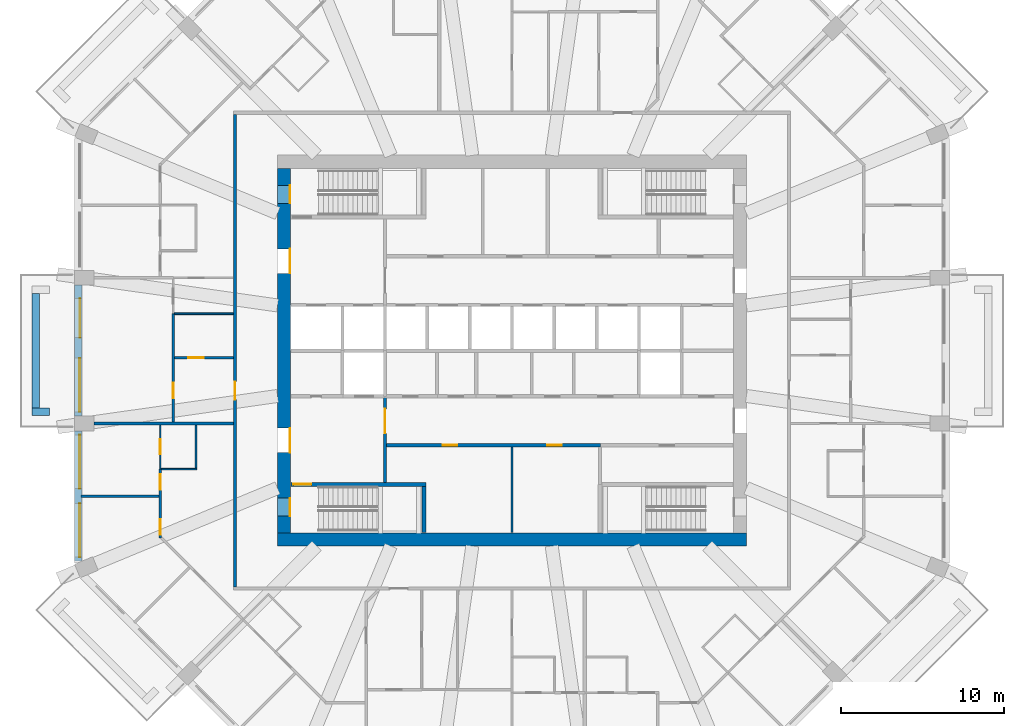
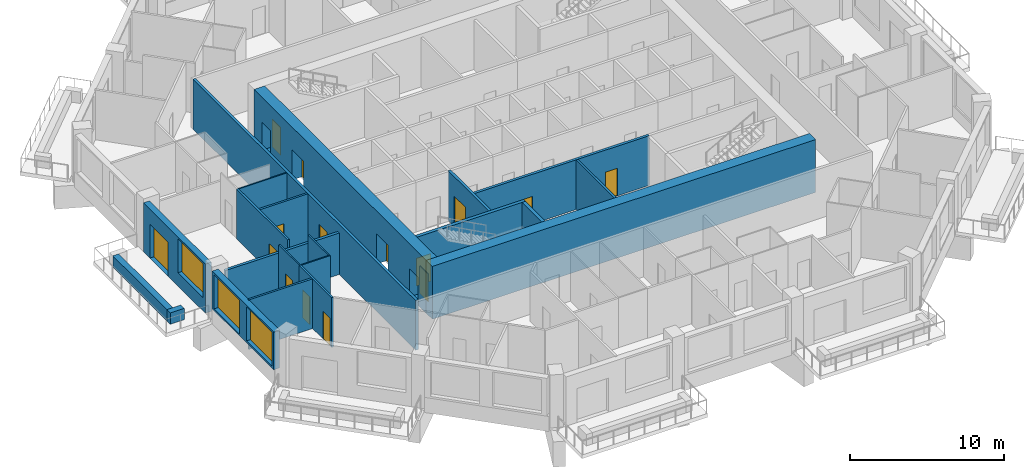
# One storey, part 4 of 13: 21 walls, 15 doors, 3 windows, 18 openings.
"""IFC4 building model written with IfcOpenShell, lengths in metres."""

import ifcopenshell
import ifcopenshell.guid

model = None  # the IFC model being written
_history = None  # IfcOwnerHistory: only IFC2X3 demands one
_inside = {}  # id of a spatial element -> (the spatial element, [elements in it])
_under = {}  # id of a project, library or spatial element -> (it, [spatial elements below it])
_declared = {}  # id of a project -> (the project, [libraries it declares])
_typed = {}  # id of a type object -> (the type object, [elements of that type])
_made_of = {}  # id of a material, layer set ... -> (it, [elements and type objects made of it])


def new_model(schema):
    """Start an empty IFC model of exactly this schema.

    Asked for "IFC4X3", IfcOpenShell would pick the latest addendum, in which some entities
    have other attributes; the version numbers below select the first issue.
    IFC2X3 requires an IfcOwnerHistory on every rooted entity: one is made here for all.
    """
    global model, _history
    if schema == "IFC4X3":
        model = ifcopenshell.file(schema_version=(4, 3, 0, 0))
    else:
        model = ifcopenshell.file(schema=schema)
    _inside.clear()
    _under.clear()
    _declared.clear()
    _typed.clear()
    _made_of.clear()
    _history = None
    if model.schema == "IFC2X3":
        org = make("IfcOrganization", Name="unknown")
        user = make(
            "IfcPersonAndOrganization",
            ThePerson=make("IfcPerson", FamilyName="unknown"),
            TheOrganization=org,
        )
        app = make(
            "IfcApplication",
            ApplicationDeveloper=org,
            Version="unknown",
            ApplicationFullName="unknown",
            ApplicationIdentifier="unknown",
        )
        _history = make(
            "IfcOwnerHistory",
            OwningUser=user,
            OwningApplication=app,
            ChangeAction="ADDED",
            CreationDate=0,
        )
    return model


def make(cls, **values):
    """One entity of the class cls with the attributes given. An attribute that is None is left unset."""
    return model.create_entity(
        cls, **{name: value for name, value in values.items() if value is not None}
    )


def rooted(cls, **values):
    """An entity with a GlobalId (a new one), such as an element, a storey or a relation."""
    return make(cls, GlobalId=ifcopenshell.guid.new(), OwnerHistory=_history, **values)


def si_unit(unit_type, name, prefix=None):
    """IfcSIUnit, for example si_unit("LENGTHUNIT", "METRE", prefix="MILLI")."""
    return make("IfcSIUnit", UnitType=unit_type, Prefix=prefix, Name=name)


def assignment(units):
    """IfcUnitAssignment: the units of a project."""
    return None if units is None else make("IfcUnitAssignment", Units=units)


def point(xyz):
    """IfcCartesianPoint."""
    return None if xyz is None else make("IfcCartesianPoint", Coordinates=xyz)


def direction(xyz):
    """IfcDirection."""
    return None if xyz is None else make("IfcDirection", DirectionRatios=xyz)


def frame(location, z_axis=None, x_axis=None):
    """IfcAxis2Placement3D, a coordinate frame: its origin and axes. An axis left out is left unset."""
    return make(
        "IfcAxis2Placement3D",
        Location=point(location),
        Axis=direction(z_axis),
        RefDirection=direction(x_axis),
    )


def frame_2d(location, x_axis=None):
    """IfcAxis2Placement2D, a coordinate frame in the plane: its origin and x axis."""
    return make(
        "IfcAxis2Placement2D", Location=point(location), RefDirection=direction(x_axis)
    )


def origin():
    """The frame at (0, 0, 0) with its axes left unset."""
    return frame((0.0, 0.0, 0.0))


def place(relative_to, where):
    """IfcLocalPlacement: puts the frame where relative to a parent placement (None: the world)."""
    return make(
        "IfcLocalPlacement", PlacementRelTo=relative_to, RelativePlacement=where
    )


def context(
    kind, dimensions, precision=None, world=None, true_north=None, identifier=None
):
    """IfcGeometricRepresentationContext, for example the 3D "Model" context."""
    return make(
        "IfcGeometricRepresentationContext",
        ContextIdentifier=identifier,
        ContextType=kind,
        CoordinateSpaceDimension=dimensions,
        Precision=precision,
        WorldCoordinateSystem=world,
        TrueNorth=true_north,
    )


def subcontext(parent, identifier, kind, view, scale=None):
    """IfcGeometricRepresentationSubContext, for example "Body" below "Model"."""
    return make(
        "IfcGeometricRepresentationSubContext",
        ContextIdentifier=identifier,
        ContextType=kind,
        ParentContext=parent,
        TargetScale=scale,
        TargetView=view,
    )


def project(units=None, contexts=None):
    """IfcProject with its units and contexts."""
    return rooted(
        "IfcProject",
        Name="project",
        RepresentationContexts=contexts,
        UnitsInContext=assignment(units),
    )


def spatial(cls, under=None, at=None, **own):
    """A site, building, storey or space (cls), placed at a placement, below another one or the project."""
    s = rooted(cls, ObjectPlacement=at, **own)
    if under is not None:
        _under.setdefault(under.id(), (under, []))[1].append(s)
    return s


def profile(cls, at=None, kind="AREA", **sizes):
    """A parametric profile (cls). Its sizes go by their IFC names, for example OverallWidth=200.0."""
    return make(cls, ProfileType=kind, Position=at, **sizes)


def rectangle(**sizes):
    """IfcRectangleProfileDef."""
    return profile("IfcRectangleProfileDef", **sizes)


def extrude(swept, where, along, depth):
    """IfcExtrudedAreaSolid: the profile swept, set in the frame where, extruded along a direction by depth."""
    return make(
        "IfcExtrudedAreaSolid",
        SweptArea=swept,
        Position=where,
        ExtrudedDirection=direction(along),
        Depth=depth,
    )


def shape(context_of_items, identifier, shape_type, items):
    """IfcShapeRepresentation: the items that make up one representation, for example the "Body"."""
    return make(
        "IfcShapeRepresentation",
        ContextOfItems=context_of_items,
        RepresentationIdentifier=identifier,
        RepresentationType=shape_type,
        Items=items,
    )


def material(Name=None, Category=None):
    """IfcMaterial."""
    return make("IfcMaterial", Name=Name, Category=Category)


def layer(
    of_material, thickness, ventilated=None, Name=None, Category=None, Priority=None
):
    """IfcMaterialLayer: one layer of a wall or slab, of a material (None: an air gap)."""
    return make(
        "IfcMaterialLayer",
        Material=of_material,
        LayerThickness=thickness,
        IsVentilated=ventilated,
        Name=Name,
        Category=Category,
        Priority=Priority,
    )


def layer_set(layers, Name=None):
    """IfcMaterialLayerSet."""
    return make("IfcMaterialLayerSet", MaterialLayers=layers, LayerSetName=Name)


def made_of(thing, what):
    """Note that an element or type object is made of a material, layer set ...; save() writes the relation."""
    if what is not None:
        _made_of.setdefault(what.id(), (what, []))[1].append(thing)
    return thing


def type_object(cls, material=None, **own):
    """A type object (cls), such as IfcWallType, which elements share."""
    return made_of(rooted(cls, **own), material)


def element(
    cls,
    number,
    at=None,
    inside=None,
    cuts=None,
    type_object=None,
    material=None,
    context=None,
    identifier="Body",
    shape_type=None,
    held_by="IfcProductDefinitionShape",
    body=None,
    shapes=None,
    **own,
):
    """One element of the class cls, such as IfcWall. Its Tag is "e" and its number.

    at: its placement. inside: the storey or other place that contains it. cuts: it is an
    opening in that element (IfcRelVoidsElement). A single representation is given by context,
    identifier, shape_type and body (its items); several are given by shapes. held_by: the class
    of the entity that holds the representations. save() writes the other relations.
    """
    e = rooted(cls, Tag="e%d" % number, ObjectPlacement=at, **own)
    if body is not None:
        shapes = [shape(context, identifier, shape_type, body)]
    if shapes is not None:
        e.Representation = make(held_by, Representations=shapes)
    if inside is not None:
        _inside.setdefault(inside.id(), (inside, []))[1].append(e)
    if cuts is not None:
        rooted(
            "IfcRelVoidsElement", RelatingBuildingElement=cuts, RelatedOpeningElement=e
        )
    if type_object is not None:
        _typed.setdefault(type_object.id(), (type_object, []))[1].append(e)
    return made_of(e, material)


def fill(opening, filler):
    """IfcRelFillsElement: the door or window that sits in an opening."""
    return rooted(
        "IfcRelFillsElement",
        RelatingOpeningElement=opening,
        RelatedBuildingElement=filler,
    )


def aggregate(whole, parts):
    """IfcRelAggregates: a whole, such as a stair, and the parts it consists of."""
    return rooted("IfcRelAggregates", RelatingObject=whole, RelatedObjects=parts)


def save(model, path):
    """Write the relations noted so far, then the file.

    IfcRelAggregates (storeys below a building ...), IfcRelContainedInSpatialStructure (elements
    in a storey), IfcRelDefinesByType, IfcRelAssociatesMaterial and IfcRelDeclares: one each for
    every whole, place, type object, material and project.
    """
    for whole, parts in _under.values():
        aggregate(whole, parts)
    for where, things in _inside.values():
        rooted(
            "IfcRelContainedInSpatialStructure",
            RelatedElements=things,
            RelatingStructure=where,
        )
    for kind, things in _typed.values():
        rooted("IfcRelDefinesByType", RelatedObjects=things, RelatingType=kind)
    for what, things in _made_of.values():
        rooted("IfcRelAssociatesMaterial", RelatedObjects=things, RelatingMaterial=what)
    for by, libraries in _declared.values():
        rooted("IfcRelDeclares", RelatingContext=by, RelatedDefinitions=libraries)
    model.write(path)


model = new_model("IFC4")

# Units and contexts
model_context = context("Model", 3, precision=1e-05, world=origin(), true_north=direction((0.0, 1.0)))
body_context = subcontext(model_context, "Body", "Model", "MODEL_VIEW")
ifc_project = project(units=[si_unit("LENGTHUNIT", "METRE"), si_unit("AREAUNIT", "SQUARE_METRE"), si_unit("VOLUMEUNIT", "CUBIC_METRE"), si_unit("PLANEANGLEUNIT", "RADIAN"), si_unit("MASSUNIT", "GRAM", prefix="KILO")], contexts=[model_context])

# Site, building, storey
site_placement = place(None, origin())
site = spatial("IfcSite", under=ifc_project, at=site_placement, CompositionType="ELEMENT")
building_placement = place(site_placement, origin())
building = spatial("IfcBuilding", under=site, at=building_placement, Name="Msitu Wima Residences", CompositionType="ELEMENT")
storey_placement = place(building_placement, frame((0.0, 0.0, 106.5)))
storey = spatial("IfcBuildingStorey", under=building, at=storey_placement, Name="L24", CompositionType="ELEMENT", Elevation=106.5)

# Walls
ifc_material_1 = material(Name="Facing brick")
ifc_layer_1 = layer(ifc_material_1, 0.06494140625, Name="Facing brick")
ifc_material_2 = material(Name="Concrete C40/50", Category="concrete")
ifc_layer_2 = layer(ifc_material_2, 0.156005859375, Name="Concrete C40/50")
ifc_material_3 = material(Name="Waterproofing membrane")
ifc_layer_3 = layer(ifc_material_3, 0.00390625, Name="Waterproofing membrane")
ifc_material_4 = material(Name="Planting soil and planting")
ifc_layer_4 = layer(ifc_material_4, 0.22509765625, Name="Planting soil and planting")
ifc_layer_set_1 = layer_set([ifc_layer_1, ifc_layer_2, ifc_layer_3, ifc_layer_4], Name="Concrete C40/50")
wall_type_1 = type_object("IfcWallType", Name="Balcony planter PLANTER PL450", PredefinedType="USERDEFINED", material=ifc_layer_set_1)
wall_1_placement = place(storey_placement, frame((-29.22509765625, 3.5185546875, 0.0), z_axis=(0.0, 0.0, 1.0), x_axis=(0.0, -1.0, 0.0)))
element("IfcWall", 1, at=wall_1_placement, inside=storey, type_object=wall_type_1, Name="Balcony planter W1 L24", ObjectType="PLANTER", PredefinedType="USERDEFINED", context=body_context, shape_type="SweptSolid", body=[
    extrude(rectangle(XDim=7.037109375, YDim=0.449951171875, at=frame_2d((3.5185546875, 0.0))), origin(), (0.0, 0.0, 1.0), 0.89990234375),
])
wall_2_placement = place(storey_placement, frame((-28.39990234375, -3.74365234375, 0.0), z_axis=(0.0, 0.0, 1.0), x_axis=(-1.0, 0.0, 0.0)))
element("IfcWall", 2, at=wall_2_placement, inside=storey, type_object=wall_type_1, Name="Balcony planter W1 L24", ObjectType="PLANTER", PredefinedType="USERDEFINED", context=body_context, shape_type="SweptSolid", body=[
    extrude(rectangle(XDim=1.050048828125, YDim=0.449951171875, at=frame_2d((0.52490234375, 0.0))), origin(), (0.0, 0.0, 1.0), 0.89990234375),
])

# Wall, openings, door, window
ifc_material_5 = material(Name="Brick (red buff mix)", Category="masonry")
ifc_layer_5 = layer(ifc_material_5, 0.449951171875)
ifc_layer_set_2 = layer_set([ifc_layer_5], Name="Brick (red buff mix)")
wall_type_2 = type_object("IfcWallType", Name="Brick infill wall BW450", PredefinedType="SOLIDWALL", material=ifc_layer_set_2)
wall_3_placement = place(storey_placement, frame((-26.625, 4.0185546875, 0.0), z_axis=(0.0, 0.0, 1.0), x_axis=(0.0, -1.0, 0.0)))
wall_3 = element("IfcWall", 3, at=wall_3_placement, inside=storey, type_object=wall_type_2, Name="Brick infill wall L24 W1", PredefinedType="SOLIDWALL", context=body_context, shape_type="SweptSolid", body=[
    extrude(rectangle(XDim=8.037109375, YDim=0.449951171875, at=frame_2d((4.0185546875, 0.0))), origin(), (0.0, 0.0, 1.0), 3.89990234375),
])
opening_1_placement = place(wall_3_placement, frame((0.809326171875, 0.0, 0.0)))
opening_1 = element("IfcOpeningElement", 4, at=opening_1_placement, cuts=wall_3, Name="Opening D24.010", PredefinedType="OPENING", context=body_context, shape_type="SweptSolid", body=[
    extrude(rectangle(XDim=2.39990234375, YDim=2.699951171875, at=frame_2d((1.199951171875, 1.35009765625))), frame((0.0, 0.23486328125, 0.0), z_axis=(0.0, -1.0, 0.0), x_axis=(1.0, 0.0, 0.0)), (0.0, 0.0, 1.0), 0.469970703125),
])
opening_2_placement = place(wall_3_placement, frame((4.46875, 0.0, 1.050048828125)))
opening_2 = element("IfcOpeningElement", 5, at=opening_2_placement, cuts=wall_3, Name="Opening W24.028", PredefinedType="OPENING", context=body_context, shape_type="SweptSolid", body=[
    extrude(rectangle(XDim=3.300048828125, YDim=2.699951171875, at=frame_2d((1.64990234375, 1.35009765625))), frame((0.0, 0.23486328125, 0.0), z_axis=(0.0, -1.0, 0.0), x_axis=(1.0, 0.0, 0.0)), (0.0, 0.0, 1.0), 0.469970703125),
])
ifc_material_6 = material(Name="Anodised aluminium, bronze finish, clear low-emissivity double glazing", Category="aluminium")
door_type_1 = type_object("IfcDoorType", Name="Balcony door D2400x2700", OperationType="SLIDING_TO_LEFT", PredefinedType="DOOR", material=ifc_material_6)
door_1_placement = place(opening_1_placement, origin())
door_1 = element("IfcDoor", 6, at=door_1_placement, inside=storey, type_object=door_type_1, Name="Balcony door L24 W1", OperationType="SINGLE_SWING_LEFT", OverallHeight=2.699951171875, OverallWidth=2.39990234375, PredefinedType="DOOR", context=body_context, shape_type="SweptSolid", body=[
    extrude(rectangle(XDim=2.39990234375, YDim=2.699951171875, at=frame_2d((1.199951171875, 1.35009765625))), frame((0.0, 0.1298828125, 0.0), z_axis=(0.0, -1.0, 0.0), x_axis=(1.0, 0.0, 0.0)), (0.0, 0.0, 1.0), 0.050048828125),
])
fill(opening_1, door_1)
window_type = type_object("IfcWindowType", Name="Window W3300x2700", PartitioningType="DOUBLE_PANEL_VERTICAL", PredefinedType="WINDOW", material=ifc_material_6)
window_1_placement = place(opening_2_placement, origin())
window_1 = element("IfcWindow", 7, at=window_1_placement, inside=storey, type_object=window_type, Name="Window L24 W1.2", OverallHeight=2.699951171875, OverallWidth=3.300048828125, PartitioningType="SINGLE_PANEL", PredefinedType="WINDOW", context=body_context, shape_type="SweptSolid", body=[
    extrude(rectangle(XDim=3.300048828125, YDim=2.699951171875, at=frame_2d((1.64990234375, 1.35009765625))), frame((0.0, 0.135009765625, 0.0), z_axis=(0.0, -1.0, 0.0), x_axis=(1.0, 0.0, 0.0)), (0.0, 0.0, 1.0), 0.06005859375),
])
fill(opening_2, window_1)

# Wall, openings, windows
wall_4_placement = place(storey_placement, frame((-26.625, -4.918701171875, 0.89990234375), z_axis=(0.0, 0.0, 1.0), x_axis=(0.0, -1.0, 0.0)))
wall_4 = element("IfcWall", 8, at=wall_4_placement, inside=storey, type_object=wall_type_2, Name="Brick infill wall L24 W2", PredefinedType="SOLIDWALL", context=body_context, shape_type="SweptSolid", body=[
    extrude(rectangle(XDim=8.0, YDim=0.449951171875, at=frame_2d((4.0, 0.0))), origin(), (0.0, 0.0, 1.0), 3.0),
])
opening_3_placement = place(wall_4_placement, frame((0.25, 0.0, 0.14990234375)))
opening_3 = element("IfcOpeningElement", 9, at=opening_3_placement, cuts=wall_4, Name="Opening W24.029", PredefinedType="OPENING", context=body_context, shape_type="SweptSolid", body=[
    extrude(rectangle(XDim=3.300048828125, YDim=2.699951171875, at=frame_2d((1.64990234375, 1.35009765625))), frame((0.0, 0.23486328125, 0.0), z_axis=(0.0, -1.0, 0.0), x_axis=(1.0, 0.0, 0.0)), (0.0, 0.0, 1.0), 0.469970703125),
])
opening_4_placement = place(wall_4_placement, frame((4.4501953125, 0.0, 0.14990234375)))
opening_4 = element("IfcOpeningElement", 10, at=opening_4_placement, cuts=wall_4, Name="Opening W24.030", PredefinedType="OPENING", context=body_context, shape_type="SweptSolid", body=[
    extrude(rectangle(XDim=3.300048828125, YDim=2.699951171875, at=frame_2d((1.64990234375, 1.35009765625))), frame((0.0, 0.23486328125, 0.0), z_axis=(0.0, -1.0, 0.0), x_axis=(1.0, 0.0, 0.0)), (0.0, 0.0, 1.0), 0.469970703125),
])
window_2_placement = place(opening_3_placement, origin())
window_2 = element("IfcWindow", 11, at=window_2_placement, inside=storey, type_object=window_type, Name="Window L24 W2.1", OverallHeight=2.699951171875, OverallWidth=3.300048828125, PartitioningType="SINGLE_PANEL", PredefinedType="WINDOW", context=body_context, shape_type="SweptSolid", body=[
    extrude(rectangle(XDim=3.300048828125, YDim=2.699951171875, at=frame_2d((1.64990234375, 1.35009765625))), frame((0.0, 0.135009765625, 0.0), z_axis=(0.0, -1.0, 0.0), x_axis=(1.0, 0.0, 0.0)), (0.0, 0.0, 1.0), 0.06005859375),
])
fill(opening_3, window_2)
window_3_placement = place(opening_4_placement, origin())
window_3 = element("IfcWindow", 12, at=window_3_placement, inside=storey, type_object=window_type, Name="Window L24 W2.2", OverallHeight=2.699951171875, OverallWidth=3.300048828125, PartitioningType="SINGLE_PANEL", PredefinedType="WINDOW", context=body_context, shape_type="SweptSolid", body=[
    extrude(rectangle(XDim=3.300048828125, YDim=2.699951171875, at=frame_2d((1.64990234375, 1.35009765625))), frame((0.0, 0.135009765625, 0.0), z_axis=(0.0, -1.0, 0.0), x_axis=(1.0, 0.0, 0.0)), (0.0, 0.0, 1.0), 0.06005859375),
])
fill(opening_4, window_3)

# Wall
ifc_material_7 = material(Name="Concrete C70/85", Category="concrete")
ifc_layer_6 = layer(ifc_material_7, 0.800048828125)
ifc_layer_set_3 = layer_set([ifc_layer_6], Name="Concrete C70/85")
wall_type_3 = type_object("IfcWallType", Name="Core wall CW800 C70/85", PredefinedType="SHEAR", material=ifc_layer_set_3)
wall_5_placement = place(storey_placement, frame((-14.39990234375, -11.60009765625, 0.0), z_axis=(0.0, 0.0, 1.0), x_axis=(1.0, 0.0, 0.0)))
element("IfcWall", 13, at=wall_5_placement, inside=storey, type_object=wall_type_3, Name="Core wall", PredefinedType="SHEAR", context=body_context, shape_type="SweptSolid", body=[
    extrude(rectangle(XDim=28.7998046875, YDim=0.800048828125, at=frame_2d((14.39990234375, 0.0))), origin(), (0.0, 0.0, 1.0), 4.199951171875),
])

# Wall, openings, doors
wall_6_placement = place(storey_placement, frame((-14.0, -11.199951171875, 0.0), z_axis=(0.0, 0.0, 1.0), x_axis=(0.0, 1.0, 0.0)))
wall_6 = element("IfcWall", 14, at=wall_6_placement, inside=storey, type_object=wall_type_3, Name="Core wall", PredefinedType="SHEAR", context=body_context, shape_type="SweptSolid", body=[
    extrude(rectangle(XDim=22.39990234375, YDim=0.800048828125, at=frame_2d((11.199951171875, 0.0))), origin(), (0.0, 0.0, 1.0), 4.199951171875),
])
opening_5_placement = place(wall_6_placement, frame((20.25, 0.0, 0.0)))
opening_5 = element("IfcOpeningElement", 15, at=opening_5_placement, cuts=wall_6, Name="Opening D24.036", PredefinedType="OPENING", context=body_context, shape_type="SweptSolid", body=[
    extrude(rectangle(XDim=1.10009765625, YDim=2.199951171875, at=frame_2d((0.550048828125, 1.10009765625))), frame((0.0, 0.409912109375, 0.0), z_axis=(0.0, -1.0, 0.0), x_axis=(1.0, 0.0, 0.0)), (0.0, 0.0, 1.0), 0.820068359375),
])
opening_6_placement = place(wall_6_placement, frame((1.050048828125, 0.0, 0.0)))
opening_6 = element("IfcOpeningElement", 16, at=opening_6_placement, cuts=wall_6, Name="Opening D24.038", PredefinedType="OPENING", context=body_context, shape_type="SweptSolid", body=[
    extrude(rectangle(XDim=1.10009765625, YDim=2.199951171875, at=frame_2d((0.550048828125, 1.10009765625))), frame((0.0, 0.409912109375, 0.0), z_axis=(0.0, -1.0, 0.0), x_axis=(1.0, 0.0, 0.0)), (0.0, 0.0, 1.0), 0.820068359375),
])
opening_7_placement = place(wall_6_placement, frame((15.949951171875, 0.0, 0.0)))
opening_7 = element("IfcOpeningElement", 17, at=opening_7_placement, cuts=wall_6, Name="Opening D24.016", PredefinedType="OPENING", context=body_context, shape_type="SweptSolid", body=[
    extrude(rectangle(XDim=1.5, YDim=2.39990234375, at=frame_2d((0.75, 1.199951171875))), frame((0.0, 0.409912109375, 0.0), z_axis=(0.0, -1.0, 0.0), x_axis=(1.0, 0.0, 0.0)), (0.0, 0.0, 1.0), 0.820068359375),
])
opening_8_placement = place(wall_6_placement, frame((4.949951171875, 0.0, 0.0)))
opening_8 = element("IfcOpeningElement", 18, at=opening_8_placement, cuts=wall_6, Name="Opening D24.018", PredefinedType="OPENING", context=body_context, shape_type="SweptSolid", body=[
    extrude(rectangle(XDim=1.5, YDim=2.39990234375, at=frame_2d((0.75, 1.199951171875))), frame((0.0, 0.409912109375, 0.0), z_axis=(0.0, -1.0, 0.0), x_axis=(1.0, 0.0, 0.0)), (0.0, 0.0, 1.0), 0.820068359375),
])
ifc_material_8 = material(Name="Steel framed glazed door, fire resisting", Category="steel")
door_type_2 = type_object("IfcDoorType", Name="Lobby door D07 1500x2400", OperationType="DOUBLE_DOOR_SINGLE_SWING", PredefinedType="DOOR", material=ifc_material_8)
door_2_placement = place(opening_7_placement, origin())
door_2 = element("IfcDoor", 19, at=door_2_placement, inside=storey, type_object=door_type_2, Name="Lobby door", OperationType="DOUBLE_DOOR_SINGLE_SWING", OverallHeight=2.39990234375, OverallWidth=1.5, PredefinedType="DOOR", context=body_context, shape_type="SweptSolid", body=[
    extrude(rectangle(XDim=1.5, YDim=2.39990234375, at=frame_2d((0.75, 1.199951171875))), frame((0.0, -0.34521484375, 0.0), z_axis=(0.0, -1.0, 0.0), x_axis=(1.0, 0.0, 0.0)), (0.0, 0.0, 1.0), 0.050048828125),
])
fill(opening_7, door_2)
door_3_placement = place(opening_8_placement, origin())
door_3 = element("IfcDoor", 20, at=door_3_placement, inside=storey, type_object=door_type_2, Name="Lobby door", OperationType="DOUBLE_DOOR_SINGLE_SWING", OverallHeight=2.39990234375, OverallWidth=1.5, PredefinedType="DOOR", context=body_context, shape_type="SweptSolid", body=[
    extrude(rectangle(XDim=1.5, YDim=2.39990234375, at=frame_2d((0.75, 1.199951171875))), frame((0.0, -0.34521484375, 0.0), z_axis=(0.0, -1.0, 0.0), x_axis=(1.0, 0.0, 0.0)), (0.0, 0.0, 1.0), 0.050048828125),
])
fill(opening_8, door_3)
ifc_material_9 = material(Name="Steel door, fire resisting, panic bar", Category="steel")
door_type_3 = type_object("IfcDoorType", Name="Stair door D06 1100x2200", OperationType="SINGLE_SWING_LEFT", PredefinedType="DOOR", material=ifc_material_9)
door_4_placement = place(opening_5_placement, origin())
door_4 = element("IfcDoor", 21, at=door_4_placement, inside=storey, type_object=door_type_3, Name="Stair door", OperationType="SINGLE_SWING_RIGHT", OverallHeight=2.199951171875, OverallWidth=1.10009765625, PredefinedType="DOOR", context=body_context, shape_type="SweptSolid", body=[
    extrude(rectangle(XDim=1.10009765625, YDim=2.199951171875, at=frame_2d((0.550048828125, 1.10009765625))), frame((0.0, -0.34521484375, 0.0), z_axis=(0.0, -1.0, 0.0), x_axis=(1.0, 0.0, 0.0)), (0.0, 0.0, 1.0), 0.050048828125),
])
fill(opening_5, door_4)
door_5_placement = place(opening_6_placement, origin())
door_5 = element("IfcDoor", 22, at=door_5_placement, inside=storey, type_object=door_type_3, Name="Stair door", OperationType="SINGLE_SWING_LEFT", OverallHeight=2.199951171875, OverallWidth=1.10009765625, PredefinedType="DOOR", context=body_context, shape_type="SweptSolid", body=[
    extrude(rectangle(XDim=1.10009765625, YDim=2.199951171875, at=frame_2d((0.550048828125, 1.10009765625))), frame((0.0, -0.34521484375, 0.0), z_axis=(0.0, -1.0, 0.0), x_axis=(1.0, 0.0, 0.0)), (0.0, 0.0, 1.0), 0.050048828125),
])
fill(opening_6, door_5)

# Wall, opening, door
ifc_material_10 = material(Name="Plaster")
ifc_layer_7 = layer(ifc_material_10, 0.011962890625, Name="Plaster")
ifc_material_11 = material(Name="Concrete blockwork", Category="masonry")
ifc_layer_8 = layer(ifc_material_11, 0.176025390625, Name="Concrete blockwork")
ifc_layer_9 = layer(ifc_material_10, 0.011962890625, Name="Plaster")
ifc_layer_set_4 = layer_set([ifc_layer_7, ifc_layer_8, ifc_layer_9], Name="Concrete blockwork")
wall_type_4 = type_object("IfcWallType", Name="Corridor wall FW200", PredefinedType="PARTITIONING", material=ifc_layer_set_4)
wall_7_placement = place(storey_placement, frame((-17.0, -14.5, 0.0), z_axis=(0.0, 0.0, 1.0), x_axis=(0.0, 1.0, 0.0)))
wall_7 = element("IfcWall", 23, at=wall_7_placement, inside=storey, type_object=wall_type_4, Name="Corridor wall", PredefinedType="PARTITIONING", context=body_context, shape_type="SweptSolid", body=[
    extrude(rectangle(XDim=29.0, YDim=0.199951171875, at=frame_2d((14.5, 0.0))), origin(), (0.0, 0.0, 1.0), 3.949951171875),
])
opening_9_placement = place(wall_7_placement, frame((11.5, 0.0, 0.0)))
opening_9 = element("IfcOpeningElement", 24, at=opening_9_placement, cuts=wall_7, Name="Opening D24.012", PredefinedType="OPENING", context=body_context, shape_type="SweptSolid", body=[
    extrude(rectangle(XDim=1.10009765625, YDim=2.39990234375, at=frame_2d((0.550048828125, 1.199951171875))), frame((0.0, 0.10986328125, 0.0), z_axis=(0.0, -1.0, 0.0), x_axis=(1.0, 0.0, 0.0)), (0.0, 0.0, 1.0), 0.219970703125),
])
ifc_material_12 = material(Name="Timber flush door, fire resisting, self-closing", Category="wood")
door_type_4 = type_object("IfcDoorType", Name="Flat entrance door D01 1100x2400", OperationType="SINGLE_SWING_LEFT", PredefinedType="DOOR", material=ifc_material_12)
door_6_placement = place(opening_9_placement, origin())
door_6 = element("IfcDoor", 25, at=door_6_placement, inside=storey, type_object=door_type_4, Name="Flat entrance door", OperationType="SINGLE_SWING_LEFT", OverallHeight=2.39990234375, OverallWidth=1.10009765625, PredefinedType="DOOR", context=body_context, shape_type="SweptSolid", body=[
    extrude(rectangle(XDim=1.10009765625, YDim=2.39990234375, at=frame_2d((0.550048828125, 1.199951171875))), frame((0.0, 0.02490234375, 0.0), z_axis=(0.0, -1.0, 0.0), x_axis=(1.0, 0.0, 0.0)), (0.0, 0.0, 1.0), 0.050048828125),
])
fill(opening_9, door_6)

wall_8_placement = place(storey_placement, frame((-7.800048828125, -8.074951171875, 0.0), z_axis=(0.0, 0.0, 1.0), x_axis=(0.0, 1.0, 0.0)))
wall_8 = element("IfcWall", 26, at=wall_8_placement, inside=storey, type_object=wall_type_4, Name="Corridor wall", PredefinedType="PARTITIONING", context=body_context, shape_type="SweptSolid", body=[
    extrude(rectangle(XDim=5.27490234375, YDim=0.199951171875, at=frame_2d((2.637451171875, 0.0))), origin(), (0.0, 0.0, 1.0), 3.949951171875),
])
opening_10_placement = place(wall_8_placement, frame((3.0, 0.0, 0.0)))
opening_10 = element("IfcOpeningElement", 27, at=opening_10_placement, cuts=wall_8, Name="Opening D24.019", PredefinedType="OPENING", context=body_context, shape_type="SweptSolid", body=[
    extrude(rectangle(XDim=1.5, YDim=2.39990234375, at=frame_2d((0.75, 1.199951171875))), frame((0.0, 0.10986328125, 0.0), z_axis=(0.0, -1.0, 0.0), x_axis=(1.0, 0.0, 0.0)), (0.0, 0.0, 1.0), 0.219970703125),
])
door_7_placement = place(opening_10_placement, origin())
door_7 = element("IfcDoor", 28, at=door_7_placement, inside=storey, type_object=door_type_2, Name="Lobby door", OperationType="DOUBLE_DOOR_SINGLE_SWING", OverallHeight=2.39990234375, OverallWidth=1.5, PredefinedType="DOOR", context=body_context, shape_type="SweptSolid", body=[
    extrude(rectangle(XDim=1.5, YDim=2.39990234375, at=frame_2d((0.75, 1.199951171875))), frame((0.0, 0.02490234375, 0.0), z_axis=(0.0, -1.0, 0.0), x_axis=(1.0, 0.0, 0.0)), (0.0, 0.0, 1.0), 0.050048828125),
])
fill(opening_10, door_7)

# Wall, openings, doors
wall_9_placement = place(storey_placement, frame((-7.699951171875, -5.800048828125, 0.0), z_axis=(0.0, 0.0, 1.0), x_axis=(1.0, 0.0, 0.0)))
wall_9 = element("IfcWall", 29, at=wall_9_placement, inside=storey, type_object=wall_type_4, Name="Corridor wall", PredefinedType="PARTITIONING", context=body_context, shape_type="SweptSolid", body=[
    extrude(rectangle(XDim=13.119873046875, YDim=0.199951171875, at=frame_2d((6.56005859375, 0.0))), origin(), (0.0, 0.0, 1.0), 3.949951171875),
])
opening_11_placement = place(wall_9_placement, frame((3.449951171875, 0.0, 0.0)))
opening_11 = element("IfcOpeningElement", 30, at=opening_11_placement, cuts=wall_9, Name="Opening D24.024", PredefinedType="OPENING", context=body_context, shape_type="SweptSolid", body=[
    extrude(rectangle(XDim=0.89990234375, YDim=2.199951171875, at=frame_2d((0.449951171875, 1.10009765625))), frame((0.0, 0.10986328125, 0.0), z_axis=(0.0, -1.0, 0.0), x_axis=(1.0, 0.0, 0.0)), (0.0, 0.0, 1.0), 0.219970703125),
])
opening_12_placement = place(wall_9_placement, frame((9.85009765625, 0.0, 0.0)))
opening_12 = element("IfcOpeningElement", 31, at=opening_12_placement, cuts=wall_9, Name="Opening D24.025", PredefinedType="OPENING", context=body_context, shape_type="SweptSolid", body=[
    extrude(rectangle(XDim=0.89990234375, YDim=2.199951171875, at=frame_2d((0.449951171875, 1.10009765625))), frame((0.0, 0.10986328125, 0.0), z_axis=(0.0, -1.0, 0.0), x_axis=(1.0, 0.0, 0.0)), (0.0, 0.0, 1.0), 0.219970703125),
])
ifc_material_13 = material(Name="Timber flush door", Category="wood")
door_type_5 = type_object("IfcDoorType", Name="Service door D05 900x2200", OperationType="SINGLE_SWING_LEFT", PredefinedType="DOOR", material=ifc_material_13)
door_8_placement = place(opening_11_placement, origin())
door_8 = element("IfcDoor", 32, at=door_8_placement, inside=storey, type_object=door_type_5, Name="Service door", OperationType="SINGLE_SWING_RIGHT", OverallHeight=2.199951171875, OverallWidth=0.89990234375, PredefinedType="DOOR", context=body_context, shape_type="SweptSolid", body=[
    extrude(rectangle(XDim=0.89990234375, YDim=2.199951171875, at=frame_2d((0.449951171875, 1.10009765625))), frame((0.0, 0.02490234375, 0.0), z_axis=(0.0, -1.0, 0.0), x_axis=(1.0, 0.0, 0.0)), (0.0, 0.0, 1.0), 0.050048828125),
])
fill(opening_11, door_8)
door_9_placement = place(opening_12_placement, origin())
door_9 = element("IfcDoor", 33, at=door_9_placement, inside=storey, type_object=door_type_5, Name="Service door", OperationType="SINGLE_SWING_RIGHT", OverallHeight=2.199951171875, OverallWidth=0.89990234375, PredefinedType="DOOR", context=body_context, shape_type="SweptSolid", body=[
    extrude(rectangle(XDim=0.89990234375, YDim=2.199951171875, at=frame_2d((0.449951171875, 1.10009765625))), frame((0.0, 0.02490234375, 0.0), z_axis=(0.0, -1.0, 0.0), x_axis=(1.0, 0.0, 0.0)), (0.0, 0.0, 1.0), 0.050048828125),
])
fill(opening_12, door_9)

# Wall
ifc_layer_10 = layer(ifc_material_10, 0.011962890625, Name="Plaster")
ifc_layer_11 = layer(ifc_material_11, 0.1259765625, Name="Concrete blockwork")
ifc_layer_12 = layer(ifc_material_10, 0.011962890625, Name="Plaster")
ifc_layer_set_5 = layer_set([ifc_layer_10, ifc_layer_11, ifc_layer_12], Name="Concrete blockwork")
wall_type_5 = type_object("IfcWallType", Name="Partition PW150", PredefinedType="PARTITIONING", material=ifc_layer_set_5)
wall_10_placement = place(storey_placement, frame((-26.455078125, -8.937255859375, 0.0), z_axis=(0.0, 0.0, 1.0), x_axis=(1.0, 0.0, 0.0)))
element("IfcWall", 34, at=wall_10_placement, inside=storey, type_object=wall_type_5, Name="Partition", PredefinedType="PARTITIONING", context=body_context, shape_type="SweptSolid", body=[
    extrude(rectangle(XDim=4.780029296875, YDim=0.14990234375, at=frame_2d((2.39013671875, 0.0))), origin(), (0.0, 0.0, 1.0), 3.949951171875),
])

# Wall, openings, doors
wall_11_placement = place(storey_placement, frame((-21.60009765625, -11.49267578125, 0.0), z_axis=(0.0, 0.0, 1.0), x_axis=(0.0, 1.0, 0.0)))
wall_11 = element("IfcWall", 35, at=wall_11_placement, inside=storey, type_object=wall_type_5, Name="Partition", PredefinedType="PARTITIONING", context=body_context, shape_type="SweptSolid", body=[
    extrude(rectangle(XDim=4.244140625, YDim=0.14990234375, at=frame_2d((2.1220703125, 0.0))), origin(), (0.0, 0.0, 1.0), 3.949951171875),
])
opening_13_placement = place(wall_11_placement, frame((2.949951171875, 0.0, 0.0)))
opening_13 = element("IfcOpeningElement", 36, at=opening_13_placement, cuts=wall_11, Name="Opening D24.068", PredefinedType="OPENING", context=body_context, shape_type="SweptSolid", body=[
    extrude(rectangle(XDim=0.949951171875, YDim=2.199951171875, at=frame_2d((0.47509765625, 1.10009765625))), frame((0.0, 0.0849609375, 0.0), z_axis=(0.0, -1.0, 0.0), x_axis=(1.0, 0.0, 0.0)), (0.0, 0.0, 1.0), 0.169921875),
])
opening_14_placement = place(wall_11_placement, frame((0.199951171875, 0.0, 0.0)))
opening_14 = element("IfcOpeningElement", 37, at=opening_14_placement, cuts=wall_11, Name="Opening D24.071", PredefinedType="OPENING", context=body_context, shape_type="SweptSolid", body=[
    extrude(rectangle(XDim=0.949951171875, YDim=2.199951171875, at=frame_2d((0.47509765625, 1.10009765625))), frame((0.0, 0.0849609375, 0.0), z_axis=(0.0, -1.0, 0.0), x_axis=(1.0, 0.0, 0.0)), (0.0, 0.0, 1.0), 0.169921875),
])
door_type_6 = type_object("IfcDoorType", Name="Room door D12 950x2200", OperationType="SINGLE_SWING_LEFT", PredefinedType="DOOR", material=ifc_material_13)
door_10_placement = place(opening_13_placement, origin())
door_10 = element("IfcDoor", 38, at=door_10_placement, inside=storey, type_object=door_type_6, Name="Room door", OperationType="SINGLE_SWING_LEFT", OverallHeight=2.199951171875, OverallWidth=0.949951171875, PredefinedType="DOOR", context=body_context, shape_type="SweptSolid", body=[
    extrude(rectangle(XDim=0.949951171875, YDim=2.199951171875, at=frame_2d((0.47509765625, 1.10009765625))), frame((0.0, 0.02490234375, 0.0), z_axis=(0.0, -1.0, 0.0), x_axis=(1.0, 0.0, 0.0)), (0.0, 0.0, 1.0), 0.050048828125),
])
fill(opening_13, door_10)
door_11_placement = place(opening_14_placement, origin())
door_11 = element("IfcDoor", 39, at=door_11_placement, inside=storey, type_object=door_type_6, Name="Room door", OperationType="SINGLE_SWING_RIGHT", OverallHeight=2.199951171875, OverallWidth=0.949951171875, PredefinedType="DOOR", context=body_context, shape_type="SweptSolid", body=[
    extrude(rectangle(XDim=0.949951171875, YDim=2.199951171875, at=frame_2d((0.47509765625, 1.10009765625))), frame((0.0, 0.02490234375, 0.0), z_axis=(0.0, -1.0, 0.0), x_axis=(1.0, 0.0, 0.0)), (0.0, 0.0, 1.0), 0.050048828125),
])
fill(opening_14, door_11)

# Wall, opening, door
wall_12_placement = place(storey_placement, frame((-20.800048828125, -4.36865234375, 0.0), z_axis=(0.0, 0.0, 1.0), x_axis=(0.0, 1.0, 0.0)))
wall_12 = element("IfcWall", 40, at=wall_12_placement, inside=storey, type_object=wall_type_5, Name="Partition", PredefinedType="PARTITIONING", context=body_context, shape_type="SweptSolid", body=[
    extrude(rectangle(XDim=6.6572265625, YDim=0.14990234375, at=frame_2d((3.32861328125, 0.0))), origin(), (0.0, 0.0, 1.0), 3.949951171875),
])
opening_15_placement = place(wall_12_placement, frame((1.449951171875, 0.0, 0.0)))
opening_15 = element("IfcOpeningElement", 41, at=opening_15_placement, cuts=wall_12, Name="Opening D24.047", PredefinedType="OPENING", context=body_context, shape_type="SweptSolid", body=[
    extrude(rectangle(XDim=0.949951171875, YDim=2.199951171875, at=frame_2d((0.47509765625, 1.10009765625))), frame((0.0, 0.0849609375, 0.0), z_axis=(0.0, -1.0, 0.0), x_axis=(1.0, 0.0, 0.0)), (0.0, 0.0, 1.0), 0.169921875),
])
door_12_placement = place(opening_15_placement, origin())
door_12 = element("IfcDoor", 42, at=door_12_placement, inside=storey, type_object=door_type_6, Name="Room door", OperationType="SINGLE_SWING_LEFT", OverallHeight=2.199951171875, OverallWidth=0.949951171875, PredefinedType="DOOR", context=body_context, shape_type="SweptSolid", body=[
    extrude(rectangle(XDim=0.949951171875, YDim=2.199951171875, at=frame_2d((0.47509765625, 1.10009765625))), frame((0.0, 0.02490234375, 0.0), z_axis=(0.0, -1.0, 0.0), x_axis=(1.0, 0.0, 0.0)), (0.0, 0.0, 1.0), 0.050048828125),
])
fill(opening_15, door_12)

wall_13_placement = place(storey_placement, frame((-20.72509765625, -0.431396484375, 0.0), z_axis=(0.0, 0.0, 1.0), x_axis=(1.0, 0.0, 0.0)))
wall_13 = element("IfcWall", 43, at=wall_13_placement, inside=storey, type_object=wall_type_5, Name="Partition", PredefinedType="PARTITIONING", context=body_context, shape_type="SweptSolid", body=[
    extrude(rectangle(XDim=3.625, YDim=0.14990234375, at=frame_2d((1.8125, 0.0))), origin(), (0.0, 0.0, 1.0), 3.949951171875),
])
opening_16_placement = place(wall_13_placement, frame((0.85009765625, 0.0, 0.0)))
opening_16 = element("IfcOpeningElement", 44, at=opening_16_placement, cuts=wall_13, Name="Opening D24.048", PredefinedType="OPENING", context=body_context, shape_type="SweptSolid", body=[
    extrude(rectangle(XDim=0.949951171875, YDim=2.199951171875, at=frame_2d((0.47509765625, 1.10009765625))), frame((0.0, 0.0849609375, 0.0), z_axis=(0.0, -1.0, 0.0), x_axis=(1.0, 0.0, 0.0)), (0.0, 0.0, 1.0), 0.169921875),
])
door_13_placement = place(opening_16_placement, origin())
door_13 = element("IfcDoor", 45, at=door_13_placement, inside=storey, type_object=door_type_6, Name="Room door", OperationType="SINGLE_SWING_LEFT", OverallHeight=2.199951171875, OverallWidth=0.949951171875, PredefinedType="DOOR", context=body_context, shape_type="SweptSolid", body=[
    extrude(rectangle(XDim=0.949951171875, YDim=2.199951171875, at=frame_2d((0.47509765625, 1.10009765625))), frame((0.0, 0.02490234375, 0.0), z_axis=(0.0, -1.0, 0.0), x_axis=(1.0, 0.0, 0.0)), (0.0, 0.0, 1.0), 0.050048828125),
])
fill(opening_16, door_13)

# Walls
wall_14_placement = place(storey_placement, frame((0.0, -11.169921875, 0.0), z_axis=(0.0, 0.0, 1.0), x_axis=(0.0, 1.0, 0.0)))
element("IfcWall", 46, at=wall_14_placement, inside=storey, type_object=wall_type_5, Name="Partition", PredefinedType="PARTITIONING", context=body_context, shape_type="SweptSolid", body=[
    extrude(rectangle(XDim=5.27001953125, YDim=0.14990234375, at=frame_2d((2.635009765625, 0.0))), origin(), (0.0, 0.0, 1.0), 3.949951171875),
])
ifc_layer_13 = layer(ifc_material_10, 0.011962890625, Name="Plaster")
ifc_material_14 = material(Name="Dense concrete blockwork", Category="masonry")
ifc_layer_14 = layer(ifc_material_14, 0.176025390625, Name="Dense concrete blockwork")
ifc_layer_15 = layer(ifc_material_10, 0.011962890625, Name="Plaster")
ifc_layer_set_6 = layer_set([ifc_layer_13, ifc_layer_14, ifc_layer_15], Name="Dense concrete blockwork")
wall_type_6 = type_object("IfcWallType", Name="Party wall PW200", PredefinedType="PARTITIONING", material=ifc_layer_set_6)
wall_15_placement = place(storey_placement, frame((-25.64990234375, -4.46875, 0.0), z_axis=(0.0, 0.0, 1.0), x_axis=(1.0, 0.0, 0.0)))
element("IfcWall", 47, at=wall_15_placement, inside=storey, type_object=wall_type_6, Name="Party wall", PredefinedType="PARTITIONING", context=body_context, shape_type="SweptSolid", body=[
    extrude(rectangle(XDim=8.5498046875, YDim=0.199951171875, at=frame_2d((4.27490234375, 0.0))), origin(), (0.0, 0.0, 1.0), 3.300048828125),
])

# Wall, opening, door
ifc_material_15 = material(Name="Concrete C50/60", Category="concrete")
ifc_layer_16 = layer(ifc_material_15, 0.25)
ifc_layer_set_7 = layer_set([ifc_layer_16], Name="Concrete C50/60")
wall_type_7 = type_object("IfcWallType", Name="Stair enclosure wall SW250", PredefinedType="SHEAR", material=ifc_layer_set_7)
wall_16_placement = place(storey_placement, frame((-13.570068359375, -8.199951171875, 0.0), z_axis=(0.0, 0.0, 1.0), x_axis=(1.0, 0.0, 0.0)))
wall_16 = element("IfcWall", 48, at=wall_16_placement, inside=storey, type_object=wall_type_7, Name="Stair enclosure wall", PredefinedType="SHEAR", context=body_context, shape_type="SweptSolid", body=[
    extrude(rectangle(XDim=8.295166015625, YDim=0.25, at=frame_2d((4.1474609375, 0.0))), origin(), (0.0, 0.0, 1.0), 3.949951171875),
])
opening_17_placement = place(wall_16_placement, frame((0.14990234375, 0.0, 0.0)))
opening_17 = element("IfcOpeningElement", 49, at=opening_17_placement, cuts=wall_16, Name="Opening D24.039", PredefinedType="OPENING", context=body_context, shape_type="SweptSolid", body=[
    extrude(rectangle(XDim=1.10009765625, YDim=2.199951171875, at=frame_2d((0.550048828125, 1.10009765625))), frame((0.0, 0.135009765625, 0.0), z_axis=(0.0, -1.0, 0.0), x_axis=(1.0, 0.0, 0.0)), (0.0, 0.0, 1.0), 0.27001953125),
])
door_14_placement = place(opening_17_placement, origin())
door_14 = element("IfcDoor", 50, at=door_14_placement, inside=storey, type_object=door_type_3, Name="Stair door", OperationType="SINGLE_SWING_RIGHT", OverallHeight=2.199951171875, OverallWidth=1.10009765625, PredefinedType="DOOR", context=body_context, shape_type="SweptSolid", body=[
    extrude(rectangle(XDim=1.10009765625, YDim=2.199951171875, at=frame_2d((0.550048828125, 1.10009765625))), frame((0.0, 0.02490234375, 0.0), z_axis=(0.0, -1.0, 0.0), x_axis=(1.0, 0.0, 0.0)), (0.0, 0.0, 1.0), 0.050048828125),
])
fill(opening_17, door_14)

# Wall
wall_17_placement = place(storey_placement, frame((-5.39990234375, -11.169921875, 0.0), z_axis=(0.0, 0.0, 1.0), x_axis=(0.0, 1.0, 0.0)))
element("IfcWall", 51, at=wall_17_placement, inside=storey, type_object=wall_type_7, Name="Stair enclosure wall", PredefinedType="SHEAR", context=body_context, shape_type="SweptSolid", body=[
    extrude(rectangle(XDim=2.844970703125, YDim=0.25, at=frame_2d((1.42236328125, 0.0))), origin(), (0.0, 0.0, 1.0), 3.949951171875),
])

# Wall, opening, door
ifc_material_16 = material(Name="Ceramic tiles")
ifc_layer_17 = layer(ifc_material_16, 0.008056640625, Name="Ceramic tiles")
ifc_material_17 = material(Name="Moisture-resistant board")
ifc_layer_18 = layer(ifc_material_17, 0.012451171875, Name="Moisture-resistant board")
ifc_material_18 = material(Name="Light-gauge stud framing with mineral wool")
ifc_layer_19 = layer(ifc_material_18, 0.06689453125, Name="Light-gauge stud framing with mineral wool")
ifc_layer_20 = layer(ifc_material_17, 0.012451171875, Name="Moisture-resistant board")
ifc_layer_set_8 = layer_set([ifc_layer_17, ifc_layer_18, ifc_layer_19, ifc_layer_20], Name="Light-gauge stud framing with mineral wool")
wall_type_8 = type_object("IfcWallType", Name="Wet wall PW100", PredefinedType="PARTITIONING", material=ifc_layer_set_8)
wall_18_placement = place(storey_placement, frame((-21.60009765625, -7.24853515625, 0.0), z_axis=(0.0, 0.0, 1.0), x_axis=(0.0, 1.0, 0.0)))
wall_18 = element("IfcWall", 52, at=wall_18_placement, inside=storey, type_object=wall_type_8, Name="Wet wall", PredefinedType="PARTITIONING", context=body_context, shape_type="SweptSolid", body=[
    extrude(rectangle(XDim=2.679931640625, YDim=0.10009765625, at=frame_2d((1.33984375, 0.0))), origin(), (0.0, 0.0, 1.0), 3.949951171875),
])
opening_18_placement = place(wall_18_placement, frame((0.89990234375, 0.0, 0.0)))
opening_18 = element("IfcOpeningElement", 53, at=opening_18_placement, cuts=wall_18, Name="Opening D24.069", PredefinedType="OPENING", context=body_context, shape_type="SweptSolid", body=[
    extrude(rectangle(XDim=0.89990234375, YDim=2.199951171875, at=frame_2d((0.449951171875, 1.10009765625))), frame((0.0, 0.06005859375, 0.0), z_axis=(0.0, -1.0, 0.0), x_axis=(1.0, 0.0, 0.0)), (0.0, 0.0, 1.0), 0.1201171875),
])
ifc_material_19 = material(Name="Timber flush door, moisture resistant", Category="wood")
door_type_7 = type_object("IfcDoorType", Name="Bathroom door D03 900x2200", OperationType="SINGLE_SWING_LEFT", PredefinedType="DOOR", material=ifc_material_19)
door_15_placement = place(opening_18_placement, origin())
door_15 = element("IfcDoor", 54, at=door_15_placement, inside=storey, type_object=door_type_7, Name="Bathroom door", OperationType="SINGLE_SWING_RIGHT", OverallHeight=2.199951171875, OverallWidth=0.89990234375, PredefinedType="DOOR", context=body_context, shape_type="SweptSolid", body=[
    extrude(rectangle(XDim=0.89990234375, YDim=2.199951171875, at=frame_2d((0.449951171875, 1.10009765625))), frame((0.0, 0.02490234375, 0.0), z_axis=(0.0, -1.0, 0.0), x_axis=(1.0, 0.0, 0.0)), (0.0, 0.0, 1.0), 0.050048828125),
])
fill(opening_18, door_15)

# Walls
wall_19_placement = place(storey_placement, frame((-21.52490234375, -7.2685546875, 0.0), z_axis=(0.0, 0.0, 1.0), x_axis=(1.0, 0.0, 0.0)))
element("IfcWall", 55, at=wall_19_placement, inside=storey, type_object=wall_type_8, Name="Wet wall", PredefinedType="PARTITIONING", context=body_context, shape_type="SweptSolid", body=[
    extrude(rectangle(XDim=2.1748046875, YDim=0.10009765625, at=frame_2d((1.08740234375, 0.0))), origin(), (0.0, 0.0, 1.0), 3.949951171875),
])
wall_20_placement = place(storey_placement, frame((-20.72509765625, 2.2685546875, 0.0), z_axis=(0.0, 0.0, 1.0), x_axis=(1.0, 0.0, 0.0)))
element("IfcWall", 56, at=wall_20_placement, inside=storey, type_object=wall_type_8, Name="Wet wall", PredefinedType="PARTITIONING", context=body_context, shape_type="SweptSolid", body=[
    extrude(rectangle(XDim=3.625, YDim=0.10009765625, at=frame_2d((1.8125, 0.0))), origin(), (0.0, 0.0, 1.0), 3.949951171875),
])
wall_21_placement = place(storey_placement, frame((-19.39990234375, -7.21875, 0.0), z_axis=(0.0, 0.0, 1.0), x_axis=(0.0, 1.0, 0.0)))
element("IfcWall", 57, at=wall_21_placement, inside=storey, type_object=wall_type_8, Name="Wet wall", PredefinedType="PARTITIONING", context=body_context, shape_type="SweptSolid", body=[
    extrude(rectangle(XDim=2.650146484375, YDim=0.10009765625, at=frame_2d((1.3251953125, 0.0))), origin(), (0.0, 0.0, 1.0), 3.949951171875),
])

save(model, "model.ifc")
